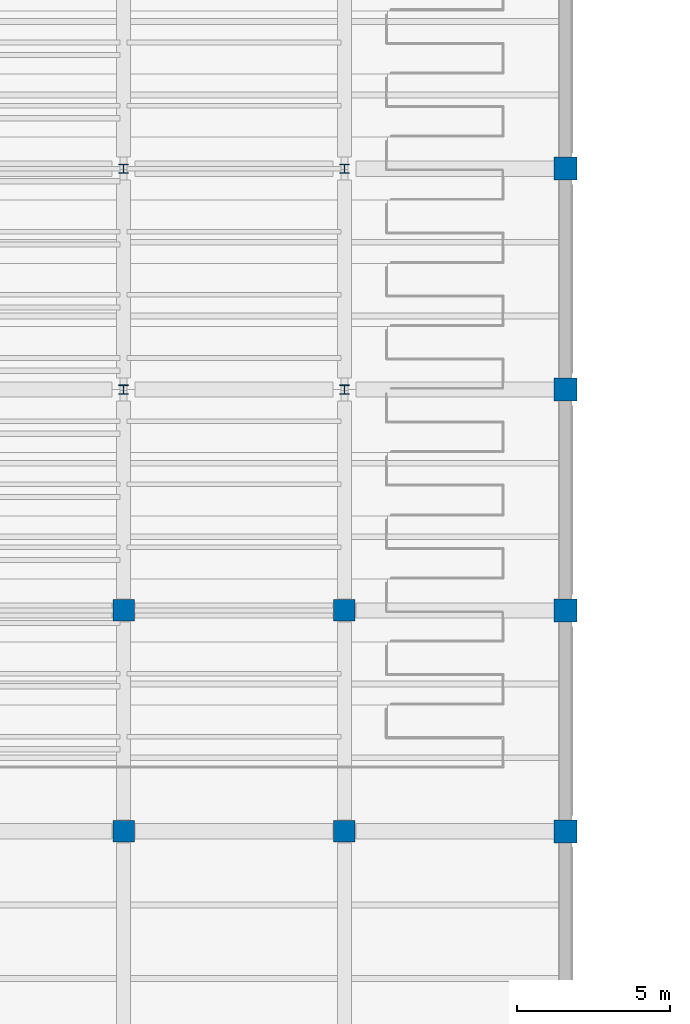
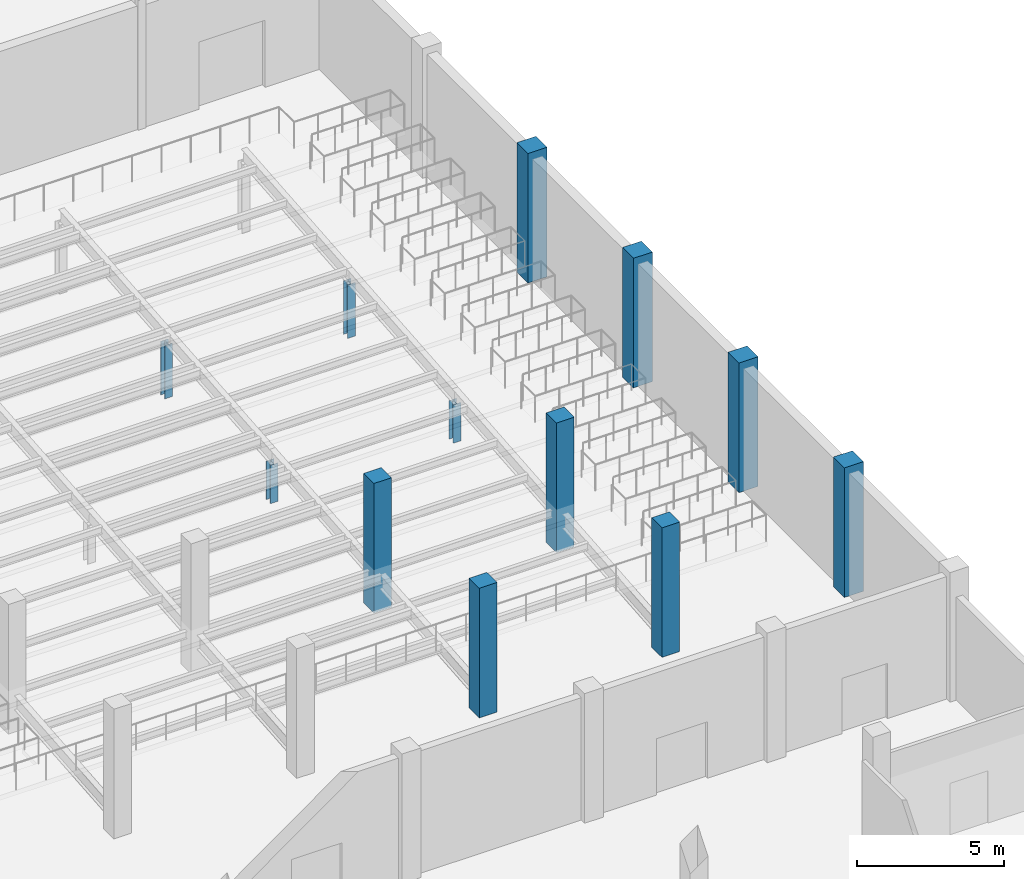
# One storey, part 7 of 46: 12 columns.
"""IFC4 building model written with IfcOpenShell, lengths in metres."""

from ifc_helpers import new_model, si_unit, direction, frame, origin, origin_2d, place, context, subcontext, project, spatial, rectangle, i_section, extrude, material, material_profile, profile_set, type_object, element, save


model = new_model("IFC4")

# Units and contexts
model_context = context("Model", 3, precision=1e-05, world=origin(), true_north=direction((0.0, 1.0)))
body_context = subcontext(model_context, "Body", "Model", "MODEL_VIEW")
ifc_project = project(units=[si_unit("LENGTHUNIT", "METRE"), si_unit("AREAUNIT", "SQUARE_METRE"), si_unit("VOLUMEUNIT", "CUBIC_METRE"), si_unit("PLANEANGLEUNIT", "RADIAN"), si_unit("MASSUNIT", "GRAM", prefix="KILO"), si_unit("THERMODYNAMICTEMPERATUREUNIT", "KELVIN"), si_unit("POWERUNIT", "WATT")], contexts=[model_context])

# Site, building, storey
site_placement = place(None, origin())
site = spatial("IfcSite", under=ifc_project, at=site_placement, CompositionType="ELEMENT")
building_placement = place(site_placement, origin())
building = spatial("IfcBuilding", under=site, at=building_placement, Name="Kaldorven Railside Theatre", CompositionType="ELEMENT")
storey_placement = place(building_placement, origin())
storey = spatial("IfcBuildingStorey", under=building, at=storey_placement, Name="L00", CompositionType="ELEMENT", Elevation=0.0)

# Columns
ifc_material_1 = material(Name="Steel S355", Category="steel")
ifc_material_profile_1 = material_profile(ifc_material_1, i_section(OverallWidth=0.300048828125, OverallDepth=0.300048828125, WebThickness=0.010986328125, FlangeThickness=0.01904296875, at=origin_2d()), Name="HEB 300")
ifc_profile_set_1 = profile_set([ifc_material_profile_1], Name="Steel S355")
column_type_1 = type_object("IfcColumnType", Name="COL-HEB300", PredefinedType="COLUMN", material=ifc_profile_set_1)
column_1_placement = place(storey_placement, frame((108.800048828125, 62.39990234375, 0.0), z_axis=(0.0, 0.0, 1.0), x_axis=(1.0, 0.0, 0.0)))
element("IfcColumn", 1, at=column_1_placement, inside=storey, type_object=column_type_1, Name="Raker Support Stanchion V1S-3-03", PredefinedType="COLUMN", context=body_context, shape_type="SweptSolid", body=[
    extrude(i_section(OverallWidth=0.300048828125, OverallDepth=0.300048828125, WebThickness=0.010986328125, FlangeThickness=0.01904296875, at=origin_2d()), origin(), (0.0, 0.0, 1.0), 1.59521484375),
])
column_2_placement = place(storey_placement, frame((108.800048828125, 69.60009765625, 0.0), z_axis=(0.0, 0.0, 1.0), x_axis=(1.0, 0.0, 0.0)))
element("IfcColumn", 2, at=column_2_placement, inside=storey, type_object=column_type_1, Name="Raker Support Stanchion V1S-3-04", PredefinedType="COLUMN", context=body_context, shape_type="SweptSolid", body=[
    extrude(i_section(OverallWidth=0.300048828125, OverallDepth=0.300048828125, WebThickness=0.010986328125, FlangeThickness=0.01904296875, at=origin_2d()), origin(), (0.0, 0.0, 1.0), 2.22509765625),
])
column_3_placement = place(storey_placement, frame((116.0, 62.39990234375, 0.0), z_axis=(0.0, 0.0, 1.0), x_axis=(1.0, 0.0, 0.0)))
element("IfcColumn", 3, at=column_3_placement, inside=storey, type_object=column_type_1, Name="Raker Support Stanchion V1S-4-03", PredefinedType="COLUMN", context=body_context, shape_type="SweptSolid", body=[
    extrude(i_section(OverallWidth=0.300048828125, OverallDepth=0.300048828125, WebThickness=0.010986328125, FlangeThickness=0.01904296875, at=origin_2d()), origin(), (0.0, 0.0, 1.0), 1.59521484375),
])
column_4_placement = place(storey_placement, frame((116.0, 69.60009765625, 0.0), z_axis=(0.0, 0.0, 1.0), x_axis=(1.0, 0.0, 0.0)))
element("IfcColumn", 4, at=column_4_placement, inside=storey, type_object=column_type_1, Name="Raker Support Stanchion V1S-4-04", PredefinedType="COLUMN", context=body_context, shape_type="SweptSolid", body=[
    extrude(i_section(OverallWidth=0.300048828125, OverallDepth=0.300048828125, WebThickness=0.010986328125, FlangeThickness=0.01904296875, at=origin_2d()), origin(), (0.0, 0.0, 1.0), 2.22509765625),
])
ifc_material_2 = material(Name="Concrete C40/50", Category="concrete")
ifc_material_profile_2 = material_profile(ifc_material_2, rectangle(XDim=0.699951171875, YDim=0.699951171875, at=origin_2d()), Name="RC 700x700")
ifc_profile_set_2 = profile_set([ifc_material_profile_2], Name="Concrete C40/50")
column_type_2 = type_object("IfcColumnType", Name="COL-RC700", PredefinedType="COLUMN", material=ifc_profile_set_2)
for number, where, z_axis, x_axis, name in (
    (5, (108.800048828125, 48.0, 0.0), (0.0, 0.0, 1.0), (1.0, 0.0, 0.0), "L00 Column CG-L00-108-048"),
    (6, (116.0, 48.0, 0.0), (0.0, 0.0, 1.0), (1.0, 0.0, 0.0), "L00 Column CG-L00-116-048"),
    (7, (108.800048828125, 55.199951171875, 0.0), (0.0, 0.0, 1.0), (1.0, 0.0, 0.0), "L00 Column CG-L00-108-055"),
    (8, (116.0, 55.199951171875, 0.0), (0.0, 0.0, 1.0), (0.0, 1.0, 0.0), "L00 Column CG-L00-116-055"),
):
    element("IfcColumn", number, at=place(storey_placement, frame(where, z_axis=z_axis, x_axis=x_axis)), inside=storey, type_object=column_type_2, Name=name, PredefinedType="COLUMN", context=body_context, shape_type="SweptSolid", body=[
        extrude(rectangle(XDim=0.699951171875, YDim=0.699951171875, at=origin_2d()), origin(), (0.0, 0.0, 1.0), 5.39990234375),
    ])
ifc_material_profile_3 = material_profile(ifc_material_2, rectangle(XDim=0.75, YDim=0.75, at=origin_2d()), Name="RC 750x750")
ifc_profile_set_3 = profile_set([ifc_material_profile_3], Name="Concrete C40/50")
column_type_3 = type_object("IfcColumnType", Name="COL-RC750", PredefinedType="COLUMN", material=ifc_profile_set_3)
for number, where, z_axis, x_axis, name in (
    (9, (123.199951171875, 48.0, 0.0), (0.0, 0.0, 1.0), (0.0, 1.0, 0.0), "L00 Column CG-L00-123-048"),
    (10, (123.199951171875, 55.199951171875, 0.0), (0.0, 0.0, 1.0), (1.0, 0.0, 0.0), "L00 Column CG-L00-123-055"),
    (11, (123.199951171875, 62.39990234375, 0.0), (0.0, 0.0, 1.0), (0.0, 1.0, 0.0), "L00 Column CG-L00-123-062"),
    (12, (123.199951171875, 69.60009765625, 0.0), (0.0, 0.0, 1.0), (1.0, 0.0, 0.0), "L00 Column CG-L00-123-069"),
):
    element("IfcColumn", number, at=place(storey_placement, frame(where, z_axis=z_axis, x_axis=x_axis)), inside=storey, type_object=column_type_3, Name=name, PredefinedType="COLUMN", context=body_context, shape_type="SweptSolid", body=[
        extrude(rectangle(XDim=0.75, YDim=0.75, at=origin_2d()), origin(), (0.0, 0.0, 1.0), 5.39990234375),
    ])

save(model, "model.ifc")
